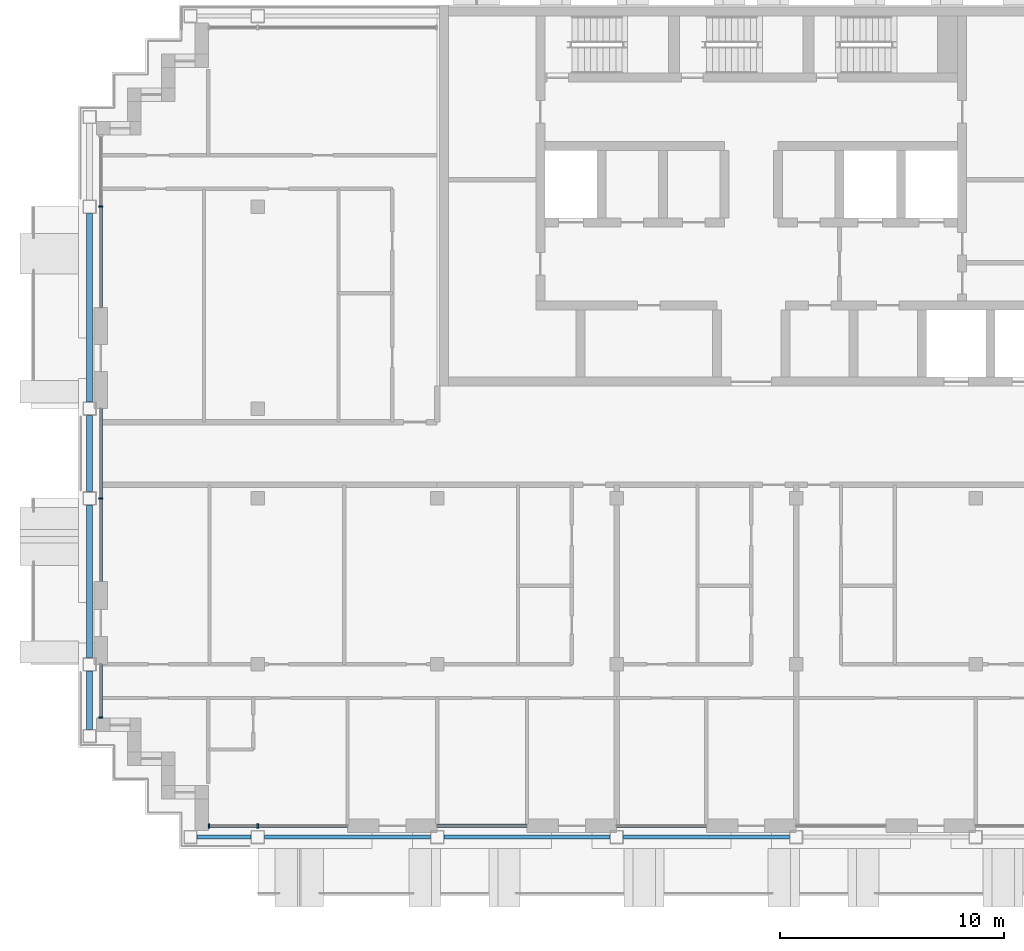
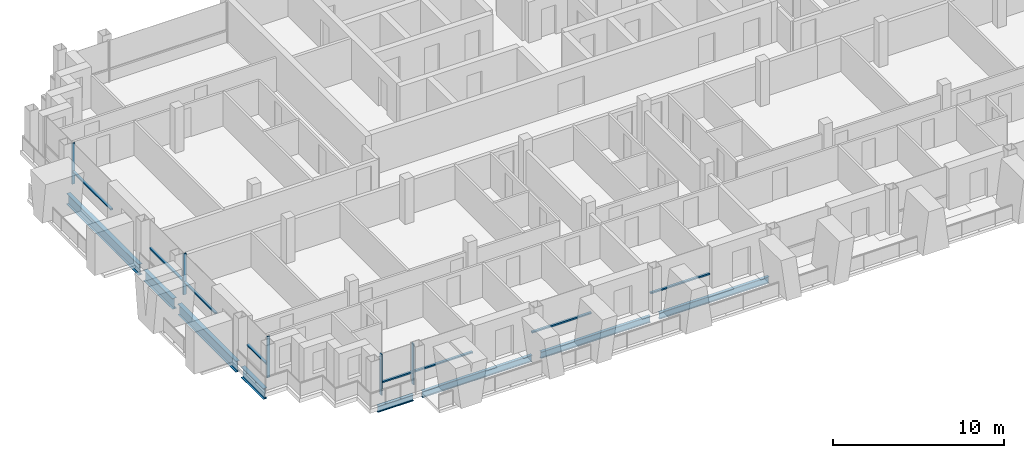
# One storey, part 2 of 16: 13 members, 8 beams, 6 elements without a shape of their own.
"""IFC4 building model written with IfcOpenShell, lengths in metres."""

from ifc_helpers import new_model, si_unit, direction, frame, origin, origin_2d, place, context, subcontext, project, spatial, rectangle, i_section, extrude, material, material_profile, profile_set, type_object, element, aggregate, save


model = new_model("IFC4")

# Units and contexts
model_context = context("Model", 3, precision=1e-05, world=origin(), true_north=direction((0.0, 1.0)))
body_context = subcontext(model_context, "Body", "Model", "MODEL_VIEW")
ifc_project = project(units=[si_unit("LENGTHUNIT", "METRE"), si_unit("AREAUNIT", "SQUARE_METRE"), si_unit("VOLUMEUNIT", "CUBIC_METRE"), si_unit("PLANEANGLEUNIT", "RADIAN"), si_unit("MASSUNIT", "GRAM", prefix="KILO")], contexts=[model_context])

# Site, building, storey
site_placement = place(None, origin())
site = spatial("IfcSite", under=ifc_project, at=site_placement, CompositionType="ELEMENT")
building_placement = place(site_placement, origin())
building = spatial("IfcBuilding", under=site, at=building_placement, Name="Vidyagriha Tower", CompositionType="ELEMENT")
storey_placement = place(building_placement, frame((0.0, 0.0, 220.39990234375)))
storey = spatial("IfcBuildingStorey", under=building, at=storey_placement, Name="L57", CompositionType="ELEMENT", Elevation=220.39990234375)

# Beams
ifc_material_1 = material(Name="Steel ASTM A992 Grade 50", Category="steel")
ifc_material_profile_1 = material_profile(ifc_material_1, i_section(OverallWidth=0.2666015625, OverallDepth=0.76953125, WebThickness=0.015625, FlangeThickness=0.025390625, at=origin_2d()), Name="W30X132")
ifc_profile_set_1 = profile_set([ifc_material_profile_1], Name="Steel ASTM A992 Grade 50")
beam_type_1 = type_object("IfcBeamType", Name="Cantilever edge beam W30X132", PredefinedType="SPANDREL", material=ifc_profile_set_1)
beam_1_placement = place(storey_placement, frame((-29.5, -12.300048828125, -0.664794921875), z_axis=(0.0, 1.0, 0.0), x_axis=(-1.0, 0.0, 0.0)))
element("IfcBeam", 1, at=beam_1_placement, inside=storey, type_object=beam_type_1, Name="st-beam-L57-W08", PredefinedType="SPANDREL", context=body_context, shape_type="SweptSolid", body=[
    extrude(i_section(OverallWidth=0.2666015625, OverallDepth=0.76953125, WebThickness=0.015625, FlangeThickness=0.025390625, at=origin_2d()), origin(), (0.0, 0.0, 1.0), 2.60009765625),
])
beam_2_placement = place(storey_placement, frame((-29.5, -9.10009765625, -0.664794921875), z_axis=(0.0, 1.0, 0.0), x_axis=(-1.0, 0.0, 0.0)))
element("IfcBeam", 2, at=beam_2_placement, inside=storey, type_object=beam_type_1, Name="st-beam-L57-W09", PredefinedType="SPANDREL", context=body_context, shape_type="SweptSolid", body=[
    extrude(i_section(OverallWidth=0.2666015625, OverallDepth=0.76953125, WebThickness=0.015625, FlangeThickness=0.025390625, at=origin_2d()), origin(), (0.0, 0.0, 1.0), 6.800048828125),
])
beam_3_placement = place(storey_placement, frame((-29.5, -1.699951171875, -0.664794921875), z_axis=(0.0, 1.0, 0.0), x_axis=(-1.0, 0.0, 0.0)))
element("IfcBeam", 3, at=beam_3_placement, inside=storey, type_object=beam_type_1, Name="st-beam-L57-W10", PredefinedType="SPANDREL", context=body_context, shape_type="SweptSolid", body=[
    extrude(i_section(OverallWidth=0.2666015625, OverallDepth=0.76953125, WebThickness=0.015625, FlangeThickness=0.025390625, at=origin_2d()), origin(), (0.0, 0.0, 1.0), 3.39990234375),
])
beam_4_placement = place(storey_placement, frame((-29.5, 2.300048828125, -0.664794921875), z_axis=(0.0, 1.0, 0.0), x_axis=(-1.0, 0.0, 0.0)))
element("IfcBeam", 4, at=beam_4_placement, inside=storey, type_object=beam_type_1, Name="st-beam-L57-W11", PredefinedType="SPANDREL", context=body_context, shape_type="SweptSolid", body=[
    extrude(i_section(OverallWidth=0.2666015625, OverallDepth=0.76953125, WebThickness=0.015625, FlangeThickness=0.025390625, at=origin_2d()), origin(), (0.0, 0.0, 1.0), 8.39990234375),
])
ifc_material_2 = material(Name="Steel ASTM A992 Grade 50", Category="steel")
ifc_material_profile_2 = material_profile(ifc_material_2, i_section(OverallWidth=0.19189453125, OverallDepth=0.46240234375, WebThickness=0.010498046875, FlangeThickness=0.017578125, at=origin_2d()), Name="W18X60")
ifc_profile_set_2 = profile_set([ifc_material_profile_2], Name="Steel ASTM A992 Grade 50")
beam_type_2 = type_object("IfcBeamType", Name="Edge beam W18X60", PredefinedType="SPANDREL", material=ifc_profile_set_2)
beam_5_placement = place(storey_placement, frame((-24.699951171875, -17.10009765625, -0.510986328125), z_axis=(1.0, 0.0, 0.0), x_axis=(0.0, 1.0, 0.0)))
element("IfcBeam", 5, at=beam_5_placement, inside=storey, type_object=beam_type_2, Name="st-beam-L57-S01", PredefinedType="SPANDREL", context=body_context, shape_type="SweptSolid", body=[
    extrude(i_section(OverallWidth=0.19189453125, OverallDepth=0.46240234375, WebThickness=0.010498046875, FlangeThickness=0.017578125, at=origin_2d()), origin(), (0.0, 0.0, 1.0), 2.39990234375),
])
for number, where, z_axis, x_axis, name in (
    (6, (-21.699951171875, -17.10009765625, -0.510986328125), (1.0, 0.0, 0.0), (0.0, 1.0, 0.0), "st-beam-L57-S02"),
    (7, (-13.699951171875, -17.10009765625, -0.510986328125), (1.0, 0.0, 0.0), (0.0, 1.0, 0.0), "st-beam-L57-S03"),
    (8, (-5.699951171875, -17.10009765625, -0.510986328125), (1.0, 0.0, 0.0), (0.0, 1.0, 0.0), "st-beam-L57-S04"),
):
    element("IfcBeam", number, at=place(storey_placement, frame(where, z_axis=z_axis, x_axis=x_axis)), inside=storey, type_object=beam_type_2, Name=name, PredefinedType="SPANDREL", context=body_context, shape_type="SweptSolid", body=[
        extrude(i_section(OverallWidth=0.19189453125, OverallDepth=0.46240234375, WebThickness=0.010498046875, FlangeThickness=0.017578125, at=origin_2d()), origin(), (0.0, 0.0, 1.0), 7.39990234375),
    ])

# Curtain wall, member
ifc_material_3 = material(Name="Aluminium and glass curtain wall", Category="aluminium")
curtain_wall_type = type_object("IfcCurtainWallType", Name="Dwelling skin unitised curtain wall", PredefinedType="USERDEFINED", material=ifc_material_3)
curtain_wall_1_placement = place(storey_placement, origin())
curtain_wall_1 = element("IfcCurtainWall", 9, at=curtain_wall_1_placement, inside=storey, type_object=curtain_wall_type, Name="CW1 dwelling skin", ObjectType="UNITISED", PredefinedType="USERDEFINED")
ifc_material_4 = material(Name="Aluminium black anodised", Category="aluminium")
ifc_material_profile_3 = material_profile(ifc_material_4, rectangle(XDim=0.199951171875, YDim=0.070068359375, at=origin_2d()), Name="Mullion 70x200 black aluminium")
ifc_profile_set_3 = profile_set([ifc_material_profile_3], Name="Aluminium black anodised")
member_type_1 = type_object("IfcMemberType", Name="Mullion 70x200 black aluminium", PredefinedType="MULLION", material=ifc_profile_set_3)
member_1_placement = place(storey_placement, frame((-29.0, 11.0, 0.0)))
member_1 = element("IfcMember", 10, at=member_1_placement, type_object=member_type_1, Name="CW1 mullion 2", PredefinedType="MULLION", context=body_context, shape_type="SweptSolid", body=[
    extrude(rectangle(XDim=0.199951171875, YDim=0.070068359375, at=origin_2d()), origin(), (0.0, 0.0, 1.0), 2.920166015625),
])

curtain_wall_2_placement = place(storey_placement, origin())
curtain_wall_2 = element("IfcCurtainWall", 11, at=curtain_wall_2_placement, inside=storey, type_object=curtain_wall_type, Name="CW1 dwelling skin", ObjectType="UNITISED", PredefinedType="USERDEFINED")
member_2_placement = place(storey_placement, frame((-29.0, -2.0, 0.0)))
member_2 = element("IfcMember", 12, at=member_2_placement, type_object=member_type_1, Name="CW1 mullion 2", PredefinedType="MULLION", context=body_context, shape_type="SweptSolid", body=[
    extrude(rectangle(XDim=0.199951171875, YDim=0.070068359375, at=origin_2d()), origin(), (0.0, 0.0, 1.0), 2.920166015625),
])

curtain_wall_3_placement = place(storey_placement, origin())
curtain_wall_3 = element("IfcCurtainWall", 13, at=curtain_wall_3_placement, inside=storey, type_object=curtain_wall_type, Name="CW1 dwelling skin", ObjectType="UNITISED", PredefinedType="USERDEFINED")
member_3_placement = place(storey_placement, frame((-29.0, -11.764892578125, 0.0)))
member_3 = element("IfcMember", 14, at=member_3_placement, type_object=member_type_1, Name="CW1 mullion 2", PredefinedType="MULLION", context=body_context, shape_type="SweptSolid", body=[
    extrude(rectangle(XDim=0.199951171875, YDim=0.070068359375, at=origin_2d()), origin(), (0.0, 0.0, 1.0), 2.920166015625),
])

# Curtain wall, members
curtain_wall_4_placement = place(storey_placement, origin())
curtain_wall_4 = element("IfcCurtainWall", 15, at=curtain_wall_4_placement, inside=storey, type_object=curtain_wall_type, Name="CW1 dwelling skin", ObjectType="UNITISED", PredefinedType="USERDEFINED")
member_4_placement = place(storey_placement, frame((-24.1650390625, -16.60009765625, 0.0), z_axis=(0.0, 0.0, 1.0), x_axis=(0.0, 1.0, 0.0)))
member_4 = element("IfcMember", 16, at=member_4_placement, type_object=member_type_1, Name="CW1 mullion 1", PredefinedType="MULLION", context=body_context, shape_type="SweptSolid", body=[
    extrude(rectangle(XDim=0.199951171875, YDim=0.070068359375, at=origin_2d()), origin(), (0.0, 0.0, 1.0), 2.920166015625),
])
member_5_placement = place(storey_placement, frame((-22.0, -16.60009765625, 0.0), z_axis=(0.0, 0.0, 1.0), x_axis=(0.0, 1.0, 0.0)))
member_5 = element("IfcMember", 17, at=member_5_placement, type_object=member_type_1, Name="CW1 mullion 2", PredefinedType="MULLION", context=body_context, shape_type="SweptSolid", body=[
    extrude(rectangle(XDim=0.199951171875, YDim=0.070068359375, at=origin_2d()), origin(), (0.0, 0.0, 1.0), 2.920166015625),
])

# Member
ifc_material_5 = material(Name="Aluminium black anodised", Category="aluminium")
ifc_material_profile_4 = material_profile(ifc_material_5, rectangle(XDim=0.159912109375, YDim=0.10009765625, at=origin_2d()), Name="Transom 100x160 black aluminium")
ifc_profile_set_4 = profile_set([ifc_material_profile_4], Name="Aluminium black anodised")
member_type_2 = type_object("IfcMemberType", Name="Transom 100x160 black aluminium", PredefinedType="USERDEFINED", material=ifc_profile_set_4)
member_6_placement = place(storey_placement, frame((-29.0, 10.965087890625, 0.900146484375), z_axis=(0.0, -1.0, 0.0), x_axis=(1.0, 0.0, 0.0)))
member_6 = element("IfcMember", 18, at=member_6_placement, type_object=member_type_2, Name="CW1 transom 2.1", ObjectType="TRANSOM", PredefinedType="USERDEFINED", context=body_context, shape_type="SweptSolid", body=[
    extrude(rectangle(XDim=0.159912109375, YDim=0.10009765625, at=origin_2d()), origin(), (0.0, 0.0, 1.0), 4.465087890625),
])

aggregate(curtain_wall_1, [member_1, member_6])

member_7_placement = place(storey_placement, frame((-29.0, 2.0, 0.900146484375), z_axis=(0.0, -1.0, 0.0), x_axis=(1.0, 0.0, 0.0)))
member_7 = element("IfcMember", 19, at=member_7_placement, type_object=member_type_2, Name="CW1 transom 1.1", ObjectType="TRANSOM", PredefinedType="USERDEFINED", context=body_context, shape_type="SweptSolid", body=[
    extrude(rectangle(XDim=0.159912109375, YDim=0.10009765625, at=origin_2d()), origin(), (0.0, 0.0, 1.0), 3.965087890625),
])

member_8_placement = place(storey_placement, frame((-29.0, -2.034912109375, 0.900146484375), z_axis=(0.0, -1.0, 0.0), x_axis=(1.0, 0.0, 0.0)))
member_8 = element("IfcMember", 20, at=member_8_placement, type_object=member_type_2, Name="CW1 transom 2.1", ObjectType="TRANSOM", PredefinedType="USERDEFINED", context=body_context, shape_type="SweptSolid", body=[
    extrude(rectangle(XDim=0.159912109375, YDim=0.10009765625, at=origin_2d()), origin(), (0.0, 0.0, 1.0), 3.6650390625),
])

aggregate(curtain_wall_2, [member_2, member_7, member_8])

member_9_placement = place(storey_placement, frame((-29.0, -9.39990234375, 0.900146484375), z_axis=(0.0, -1.0, 0.0), x_axis=(1.0, 0.0, 0.0)))
member_9 = element("IfcMember", 21, at=member_9_placement, type_object=member_type_2, Name="CW1 transom 1.1", ObjectType="TRANSOM", PredefinedType="USERDEFINED", context=body_context, shape_type="SweptSolid", body=[
    extrude(rectangle(XDim=0.159912109375, YDim=0.10009765625, at=origin_2d()), origin(), (0.0, 0.0, 1.0), 2.330078125),
])

aggregate(curtain_wall_3, [member_3, member_9])

member_10_placement = place(storey_placement, frame((-24.1298828125, -16.60009765625, 0.900146484375), z_axis=(1.0, 0.0, 0.0), x_axis=(0.0, 1.0, 0.0)))
member_10 = element("IfcMember", 22, at=member_10_placement, type_object=member_type_2, Name="CW1 transom 1.1", ObjectType="TRANSOM", PredefinedType="USERDEFINED", context=body_context, shape_type="SweptSolid", body=[
    extrude(rectangle(XDim=0.159912109375, YDim=0.10009765625, at=origin_2d()), origin(), (0.0, 0.0, 1.0), 2.094970703125),
])

member_11_placement = place(storey_placement, frame((-21.965087890625, -16.60009765625, 0.900146484375), z_axis=(1.0, 0.0, 0.0), x_axis=(0.0, 1.0, 0.0)))
member_11 = element("IfcMember", 23, at=member_11_placement, type_object=member_type_2, Name="CW1 transom 2.1", ObjectType="TRANSOM", PredefinedType="USERDEFINED", context=body_context, shape_type="SweptSolid", body=[
    extrude(rectangle(XDim=0.159912109375, YDim=0.10009765625, at=origin_2d()), origin(), (0.0, 0.0, 1.0), 3.965087890625),
])

aggregate(curtain_wall_4, [member_4, member_5, member_10, member_11])

# Curtain wall, member
curtain_wall_5_placement = place(storey_placement, origin())
curtain_wall_5 = element("IfcCurtainWall", 24, at=curtain_wall_5_placement, inside=storey, type_object=curtain_wall_type, Name="CW1 dwelling skin", ObjectType="UNITISED", PredefinedType="USERDEFINED")
member_12_placement = place(storey_placement, frame((-14.0, -16.60009765625, 0.900146484375), z_axis=(1.0, 0.0, 0.0), x_axis=(0.0, 1.0, 0.0)))
member_12 = element("IfcMember", 25, at=member_12_placement, type_object=member_type_2, Name="CW1 transom 1.1", ObjectType="TRANSOM", PredefinedType="USERDEFINED", context=body_context, shape_type="SweptSolid", body=[
    extrude(rectangle(XDim=0.159912109375, YDim=0.10009765625, at=origin_2d()), origin(), (0.0, 0.0, 1.0), 4.0),
])
aggregate(curtain_wall_5, [member_12])

curtain_wall_6_placement = place(storey_placement, origin())
curtain_wall_6 = element("IfcCurtainWall", 26, at=curtain_wall_6_placement, inside=storey, type_object=curtain_wall_type, Name="CW1 dwelling skin", ObjectType="UNITISED", PredefinedType="USERDEFINED")
member_13_placement = place(storey_placement, frame((-6.0, -16.60009765625, 0.900146484375), z_axis=(1.0, 0.0, 0.0), x_axis=(0.0, 1.0, 0.0)))
member_13 = element("IfcMember", 27, at=member_13_placement, type_object=member_type_2, Name="CW1 transom 1.1", ObjectType="TRANSOM", PredefinedType="USERDEFINED", context=body_context, shape_type="SweptSolid", body=[
    extrude(rectangle(XDim=0.159912109375, YDim=0.10009765625, at=origin_2d()), origin(), (0.0, 0.0, 1.0), 4.0),
])
aggregate(curtain_wall_6, [member_13])

save(model, "model.ifc")
